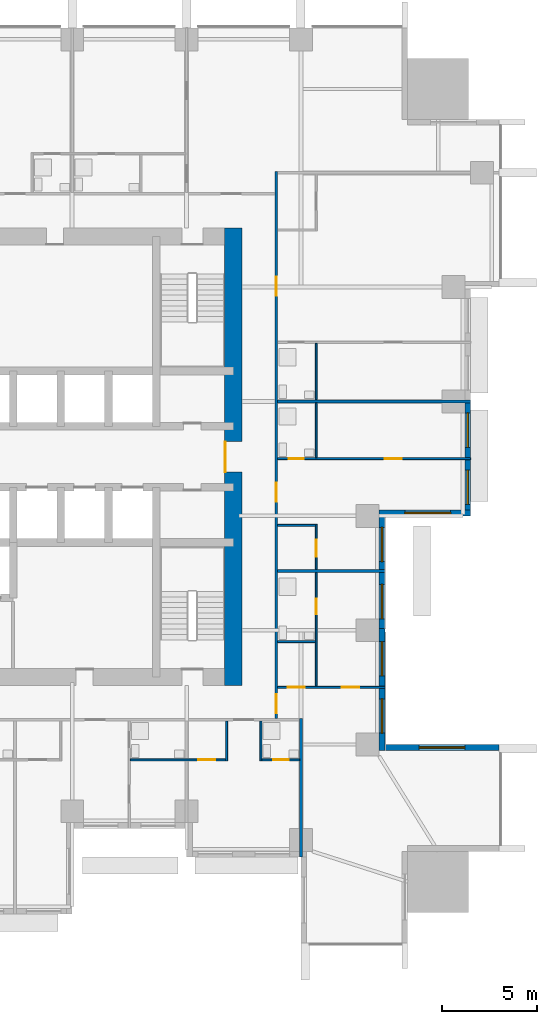
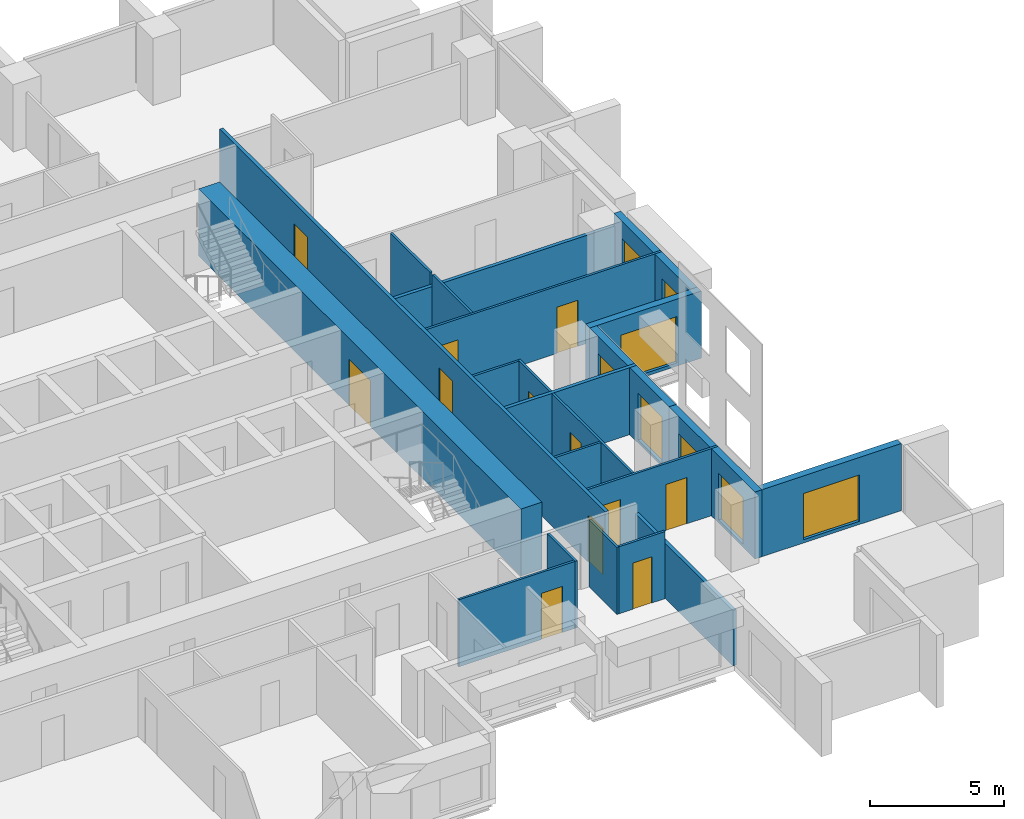
# One storey, part 6 of 10: 21 walls, 12 doors, 8 windows, 20 openings.
"""IFC4 building model written with IfcOpenShell, lengths in metres."""

from ifc_helpers import new_model, si_unit, direction, frame, frame_2d, origin, place, context, subcontext, project, spatial, rectangle, extrude, material, layer, layer_set, type_object, element, fill, save


model = new_model("IFC4")

# Units and contexts
model_context = context("Model", 3, precision=1e-05, world=origin(), true_north=direction((0.0, 1.0)))
body_context = subcontext(model_context, "Body", "Model", "MODEL_VIEW")
ifc_project = project(units=[si_unit("LENGTHUNIT", "METRE"), si_unit("AREAUNIT", "SQUARE_METRE"), si_unit("VOLUMEUNIT", "CUBIC_METRE"), si_unit("PLANEANGLEUNIT", "RADIAN"), si_unit("MASSUNIT", "GRAM", prefix="KILO")], contexts=[model_context])

# Site, building, storey
site_placement = place(None, origin())
site = spatial("IfcSite", under=ifc_project, at=site_placement, CompositionType="ELEMENT")
building_placement = place(site_placement, origin())
building = spatial("IfcBuilding", under=site, at=building_placement, Name="Amberfall Residences", CompositionType="ELEMENT")
storey_placement = place(building_placement, frame((0.0, 0.0, 30.10009765625)))
storey = spatial("IfcBuildingStorey", under=building, at=storey_placement, Name="L07", CompositionType="ELEMENT", Elevation=30.10009765625)

# Wall, opening, window
ifc_material_1 = material(Name="Pale stone cladding on insulated backing", Category="masonry")
ifc_layer_1 = layer(ifc_material_1, 0.300048828125)
ifc_layer_set_1 = layer_set([ifc_layer_1], Name="Bronze clad wall 300")
wall_type_1 = type_object("IfcWallType", Name="Bronze clad wall 300", PredefinedType="SOLIDWALL", material=ifc_layer_set_1)
wall_1_placement = place(storey_placement, frame((100.0, 30.25, 0.0), z_axis=(0.0, 0.0, 1.0), x_axis=(-1.0, 0.0, 0.0)))
wall_1 = element("IfcWall", 1, at=wall_1_placement, inside=storey, type_object=wall_type_1, Name="External wall L07 E", PredefinedType="SOLIDWALL", context=body_context, shape_type="SweptSolid", body=[
    extrude(rectangle(XDim=6.0, YDim=0.300048828125, at=frame_2d((3.0, 0.0))), origin(), (0.0, 0.0, 1.0), 3.0498046875),
])
opening_1_placement = place(wall_1_placement, frame((1.800048828125, 0.0, 0.14990234375)))
opening_1 = element("IfcOpeningElement", 2, at=opening_1_placement, cuts=wall_1, Name="Opening WN5", PredefinedType="OPENING", context=body_context, shape_type="SweptSolid", body=[
    extrude(rectangle(XDim=2.39990234375, YDim=2.10009765625, at=frame_2d((1.199951171875, 1.050048828125))), frame((0.0, 0.159912109375, 0.0), z_axis=(0.0, -1.0, 0.0), x_axis=(1.0, 0.0, 0.0)), (0.0, 0.0, 1.0), 0.320068359375),
])
ifc_material_2 = material(Name="Bronze aluminium framed glazing", Category="aluminium")
window_type_1 = type_object("IfcWindowType", Name="Glazed opening 2400 x 2100 bronze", PartitioningType="DOUBLE_PANEL_VERTICAL", PredefinedType="WINDOW", material=ifc_material_2)
window_1_placement = place(opening_1_placement, origin())
window_1 = element("IfcWindow", 3, at=window_1_placement, inside=storey, type_object=window_type_1, Name="Window L07 E", OverallHeight=2.10009765625, OverallWidth=2.39990234375, PartitioningType="DOUBLE_PANEL_VERTICAL", PredefinedType="WINDOW", context=body_context, shape_type="SweptSolid", body=[
    extrude(rectangle(XDim=2.39990234375, YDim=2.10009765625, at=frame_2d((1.199951171875, 1.050048828125))), frame((0.0, 0.030029296875, 0.0), z_axis=(0.0, -1.0, 0.0), x_axis=(1.0, 0.0, 0.0)), (0.0, 0.0, 1.0), 0.06005859375),
])
fill(opening_1, window_1)

wall_2_placement = place(storey_placement, frame((93.699951171875, 42.550048828125, 0.0), z_axis=(0.0, 0.0, 1.0), x_axis=(1.0, 0.0, 0.0)))
wall_2 = element("IfcWall", 4, at=wall_2_placement, inside=storey, type_object=wall_type_1, Name="External wall L07 E", PredefinedType="SOLIDWALL", context=body_context, shape_type="SweptSolid", body=[
    extrude(rectangle(XDim=4.800048828125, YDim=0.300048828125, at=frame_2d((2.39990234375, 0.0))), origin(), (0.0, 0.0, 1.0), 3.0498046875),
])
opening_2_placement = place(wall_2_placement, frame((1.35009765625, 0.0, 0.14990234375)))
opening_2 = element("IfcOpeningElement", 5, at=opening_2_placement, cuts=wall_2, Name="Opening WN5", PredefinedType="OPENING", context=body_context, shape_type="SweptSolid", body=[
    extrude(rectangle(XDim=2.39990234375, YDim=2.10009765625, at=frame_2d((1.199951171875, 1.050048828125))), frame((0.0, 0.159912109375, 0.0), z_axis=(0.0, -1.0, 0.0), x_axis=(1.0, 0.0, 0.0)), (0.0, 0.0, 1.0), 0.320068359375),
])
window_2_placement = place(opening_2_placement, origin())
window_2 = element("IfcWindow", 6, at=window_2_placement, inside=storey, type_object=window_type_1, Name="Window L07 E", OverallHeight=2.10009765625, OverallWidth=2.39990234375, PartitioningType="DOUBLE_PANEL_VERTICAL", PredefinedType="WINDOW", context=body_context, shape_type="SweptSolid", body=[
    extrude(rectangle(XDim=2.39990234375, YDim=2.10009765625, at=frame_2d((1.199951171875, 1.050048828125))), frame((0.0, 0.030029296875, 0.0), z_axis=(0.0, -1.0, 0.0), x_axis=(1.0, 0.0, 0.0)), (0.0, 0.0, 1.0), 0.06005859375),
])
fill(opening_2, window_2)

# Wall, openings, windows
wall_3_placement = place(storey_placement, frame((93.85009765625, 30.10009765625, 0.0), z_axis=(0.0, 0.0, 1.0), x_axis=(0.0, 1.0, 0.0)))
wall_3 = element("IfcWall", 7, at=wall_3_placement, inside=storey, type_object=wall_type_1, Name="Stone wall L07 E", PredefinedType="SOLIDWALL", context=body_context, shape_type="SweptSolid", body=[
    extrude(rectangle(XDim=6.389892578125, YDim=0.300048828125, at=frame_2d((3.19482421875, 0.0))), origin(), (0.0, 0.0, 1.0), 3.0498046875),
])
opening_3_placement = place(wall_3_placement, frame((0.89990234375, 0.0, 0.14990234375)))
opening_3 = element("IfcOpeningElement", 8, at=opening_3_placement, cuts=wall_3, Name="Opening WN6", PredefinedType="OPENING", context=body_context, shape_type="SweptSolid", body=[
    extrude(rectangle(XDim=1.800048828125, YDim=2.10009765625, at=frame_2d((0.89990234375, 1.050048828125))), frame((0.0, 0.159912109375, 0.0), z_axis=(0.0, -1.0, 0.0), x_axis=(1.0, 0.0, 0.0)), (0.0, 0.0, 1.0), 0.320068359375),
])
opening_4_placement = place(wall_3_placement, frame((3.89990234375, 0.0, 0.14990234375)))
opening_4 = element("IfcOpeningElement", 9, at=opening_4_placement, cuts=wall_3, Name="Opening WN6", PredefinedType="OPENING", context=body_context, shape_type="SweptSolid", body=[
    extrude(rectangle(XDim=1.800048828125, YDim=2.10009765625, at=frame_2d((0.89990234375, 1.050048828125))), frame((0.0, 0.159912109375, 0.0), z_axis=(0.0, -1.0, 0.0), x_axis=(1.0, 0.0, 0.0)), (0.0, 0.0, 1.0), 0.320068359375),
])
window_type_2 = type_object("IfcWindowType", Name="Glazed opening 1800 x 2100 bronze", PartitioningType="DOUBLE_PANEL_VERTICAL", PredefinedType="WINDOW", material=ifc_material_2)
window_3_placement = place(opening_3_placement, origin())
window_3 = element("IfcWindow", 10, at=window_3_placement, inside=storey, type_object=window_type_2, Name="Window L07 E", OverallHeight=2.10009765625, OverallWidth=1.800048828125, PartitioningType="DOUBLE_PANEL_VERTICAL", PredefinedType="WINDOW", context=body_context, shape_type="SweptSolid", body=[
    extrude(rectangle(XDim=1.800048828125, YDim=2.10009765625, at=frame_2d((0.89990234375, 1.050048828125))), frame((0.0, 0.030029296875, 0.0), z_axis=(0.0, -1.0, 0.0), x_axis=(1.0, 0.0, 0.0)), (0.0, 0.0, 1.0), 0.06005859375),
])
fill(opening_3, window_3)
window_4_placement = place(opening_4_placement, origin())
window_4 = element("IfcWindow", 11, at=window_4_placement, inside=storey, type_object=window_type_2, Name="Window L07 E", OverallHeight=2.10009765625, OverallWidth=1.800048828125, PartitioningType="DOUBLE_PANEL_VERTICAL", PredefinedType="WINDOW", context=body_context, shape_type="SweptSolid", body=[
    extrude(rectangle(XDim=1.800048828125, YDim=2.10009765625, at=frame_2d((0.89990234375, 1.050048828125))), frame((0.0, 0.030029296875, 0.0), z_axis=(0.0, -1.0, 0.0), x_axis=(1.0, 0.0, 0.0)), (0.0, 0.0, 1.0), 0.06005859375),
])
fill(opening_4, window_4)

wall_4_placement = place(storey_placement, frame((93.85009765625, 36.489990234375, 0.0), z_axis=(0.0, 0.0, 1.0), x_axis=(0.0, 1.0, 0.0)))
wall_4 = element("IfcWall", 12, at=wall_4_placement, inside=storey, type_object=wall_type_1, Name="Stone wall L07 E", PredefinedType="SOLIDWALL", context=body_context, shape_type="SweptSolid", body=[
    extrude(rectangle(XDim=5.909912109375, YDim=0.300048828125, at=frame_2d((2.955078125, 0.0))), origin(), (0.0, 0.0, 1.0), 3.0498046875),
])
opening_5_placement = place(wall_4_placement, frame((0.510009765625, 0.0, 0.14990234375)))
opening_5 = element("IfcOpeningElement", 13, at=opening_5_placement, cuts=wall_4, Name="Opening WN6", PredefinedType="OPENING", context=body_context, shape_type="SweptSolid", body=[
    extrude(rectangle(XDim=1.800048828125, YDim=2.10009765625, at=frame_2d((0.89990234375, 1.050048828125))), frame((0.0, 0.159912109375, 0.0), z_axis=(0.0, -1.0, 0.0), x_axis=(1.0, 0.0, 0.0)), (0.0, 0.0, 1.0), 0.320068359375),
])
opening_6_placement = place(wall_4_placement, frame((3.510009765625, 0.0, 0.14990234375)))
opening_6 = element("IfcOpeningElement", 14, at=opening_6_placement, cuts=wall_4, Name="Opening WN6", PredefinedType="OPENING", context=body_context, shape_type="SweptSolid", body=[
    extrude(rectangle(XDim=1.800048828125, YDim=2.10009765625, at=frame_2d((0.89990234375, 1.050048828125))), frame((0.0, 0.159912109375, 0.0), z_axis=(0.0, -1.0, 0.0), x_axis=(1.0, 0.0, 0.0)), (0.0, 0.0, 1.0), 0.320068359375),
])
window_5_placement = place(opening_5_placement, origin())
window_5 = element("IfcWindow", 15, at=window_5_placement, inside=storey, type_object=window_type_2, Name="Window L07 E", OverallHeight=2.10009765625, OverallWidth=1.800048828125, PartitioningType="DOUBLE_PANEL_VERTICAL", PredefinedType="WINDOW", context=body_context, shape_type="SweptSolid", body=[
    extrude(rectangle(XDim=1.800048828125, YDim=2.10009765625, at=frame_2d((0.89990234375, 1.050048828125))), frame((0.0, 0.030029296875, 0.0), z_axis=(0.0, -1.0, 0.0), x_axis=(1.0, 0.0, 0.0)), (0.0, 0.0, 1.0), 0.06005859375),
])
fill(opening_5, window_5)
window_6_placement = place(opening_6_placement, origin())
window_6 = element("IfcWindow", 16, at=window_6_placement, inside=storey, type_object=window_type_2, Name="Window L07 E", OverallHeight=2.10009765625, OverallWidth=1.800048828125, PartitioningType="DOUBLE_PANEL_VERTICAL", PredefinedType="WINDOW", context=body_context, shape_type="SweptSolid", body=[
    extrude(rectangle(XDim=1.800048828125, YDim=2.10009765625, at=frame_2d((0.89990234375, 1.050048828125))), frame((0.0, 0.030029296875, 0.0), z_axis=(0.0, -1.0, 0.0), x_axis=(1.0, 0.0, 0.0)), (0.0, 0.0, 1.0), 0.06005859375),
])
fill(opening_6, window_6)

wall_5_placement = place(storey_placement, frame((98.35009765625, 42.699951171875, 0.0), z_axis=(0.0, 0.0, 1.0), x_axis=(0.0, 1.0, 0.0)))
wall_5 = element("IfcWall", 17, at=wall_5_placement, inside=storey, type_object=wall_type_1, Name="Stone wall L07 E", PredefinedType="SOLIDWALL", context=body_context, shape_type="SweptSolid", body=[
    extrude(rectangle(XDim=5.699951171875, YDim=0.300048828125, at=frame_2d((2.85009765625, 0.0))), origin(), (0.0, 0.0, 1.0), 3.0498046875),
])
opening_7_placement = place(wall_5_placement, frame((0.300048828125, 0.0, 0.14990234375)))
opening_7 = element("IfcOpeningElement", 18, at=opening_7_placement, cuts=wall_5, Name="Opening WN6", PredefinedType="OPENING", context=body_context, shape_type="SweptSolid", body=[
    extrude(rectangle(XDim=1.800048828125, YDim=2.10009765625, at=frame_2d((0.89990234375, 1.050048828125))), frame((0.0, 0.159912109375, 0.0), z_axis=(0.0, -1.0, 0.0), x_axis=(1.0, 0.0, 0.0)), (0.0, 0.0, 1.0), 0.320068359375),
])
opening_8_placement = place(wall_5_placement, frame((3.300048828125, 0.0, 0.14990234375)))
opening_8 = element("IfcOpeningElement", 19, at=opening_8_placement, cuts=wall_5, Name="Opening WN6", PredefinedType="OPENING", context=body_context, shape_type="SweptSolid", body=[
    extrude(rectangle(XDim=1.800048828125, YDim=2.10009765625, at=frame_2d((0.89990234375, 1.050048828125))), frame((0.0, 0.159912109375, 0.0), z_axis=(0.0, -1.0, 0.0), x_axis=(1.0, 0.0, 0.0)), (0.0, 0.0, 1.0), 0.320068359375),
])
window_7_placement = place(opening_7_placement, origin())
window_7 = element("IfcWindow", 20, at=window_7_placement, inside=storey, type_object=window_type_2, Name="Window L07 E", OverallHeight=2.10009765625, OverallWidth=1.800048828125, PartitioningType="DOUBLE_PANEL_VERTICAL", PredefinedType="WINDOW", context=body_context, shape_type="SweptSolid", body=[
    extrude(rectangle(XDim=1.800048828125, YDim=2.10009765625, at=frame_2d((0.89990234375, 1.050048828125))), frame((0.0, 0.030029296875, 0.0), z_axis=(0.0, -1.0, 0.0), x_axis=(1.0, 0.0, 0.0)), (0.0, 0.0, 1.0), 0.06005859375),
])
fill(opening_7, window_7)
window_8_placement = place(opening_8_placement, origin())
window_8 = element("IfcWindow", 21, at=window_8_placement, inside=storey, type_object=window_type_2, Name="Window L07 E", OverallHeight=2.10009765625, OverallWidth=1.800048828125, PartitioningType="DOUBLE_PANEL_VERTICAL", PredefinedType="WINDOW", context=body_context, shape_type="SweptSolid", body=[
    extrude(rectangle(XDim=1.800048828125, YDim=2.10009765625, at=frame_2d((0.89990234375, 1.050048828125))), frame((0.0, 0.030029296875, 0.0), z_axis=(0.0, -1.0, 0.0), x_axis=(1.0, 0.0, 0.0)), (0.0, 0.0, 1.0), 0.06005859375),
])
fill(opening_8, window_8)

# Wall, opening, door
ifc_material_3 = material(Name="Concrete C80", Category="concrete")
ifc_layer_2 = layer(ifc_material_3, 0.89990234375)
ifc_layer_set_2 = layer_set([ifc_layer_2], Name="Core wall 900 C80")
wall_type_2 = type_object("IfcWallType", Name="Core wall 900 C80", PredefinedType="SHEAR", material=ifc_layer_set_2)
wall_6_placement = place(storey_placement, frame((86.050048828125, 33.5, 0.0), z_axis=(0.0, 0.0, 1.0), x_axis=(0.0, 1.0, 0.0)))
wall_6 = element("IfcWall", 22, at=wall_6_placement, inside=storey, type_object=wall_type_2, Name="Core wall RW1 L07 OE", PredefinedType="SHEAR", context=body_context, shape_type="SweptSolid", body=[
    extrude(rectangle(XDim=24.0, YDim=0.89990234375, at=frame_2d((12.0, 0.0))), origin(), (0.0, 0.0, 1.0), 3.0498046875),
])
opening_9_placement = place(wall_6_placement, frame((11.199951171875, 0.0, 0.0)))
opening_9 = element("IfcOpeningElement", 23, at=opening_9_placement, cuts=wall_6, Name="Opening LB1", PredefinedType="OPENING", context=body_context, shape_type="SweptSolid", body=[
    extrude(rectangle(XDim=1.60009765625, YDim=2.10009765625, at=frame_2d((0.800048828125, 1.050048828125))), frame((0.0, 0.4599609375, 0.0), z_axis=(0.0, -1.0, 0.0), x_axis=(1.0, 0.0, 0.0)), (0.0, 0.0, 1.0), 0.919921875),
])
ifc_material_4 = material(Name="Steel fire door set", Category="steel")
door_type_1 = type_object("IfcDoorType", Name="Lift lobby double door 1600 x 2100", OperationType="DOUBLE_DOOR_SINGLE_SWING", PredefinedType="DOOR", material=ifc_material_4)
door_1_placement = place(opening_9_placement, origin())
door_1 = element("IfcDoor", 24, at=door_1_placement, inside=storey, type_object=door_type_1, Name="LB1 L07", OperationType="DOUBLE_DOOR_SINGLE_SWING", OverallHeight=2.10009765625, OverallWidth=1.60009765625, PredefinedType="DOOR", context=body_context, shape_type="SweptSolid", body=[
    extrude(rectangle(XDim=1.60009765625, YDim=2.10009765625, at=frame_2d((0.800048828125, 1.050048828125))), frame((0.0, 0.4375, 0.0), z_axis=(0.0, -1.0, 0.0), x_axis=(1.0, 0.0, 0.0)), (0.0, 0.0, 1.0), 0.050048828125),
])
fill(opening_9, door_1)

# Walls
ifc_material_5 = material(Name="Gypsum board on metal stud")
ifc_layer_3 = layer(ifc_material_5, 0.10009765625)
ifc_layer_set_3 = layer_set([ifc_layer_3], Name="Flat partition 100")
wall_type_3 = type_object("IfcWallType", Name="Flat partition 100", PredefinedType="PARTITIONING", material=ifc_layer_set_3)
for number, where, z_axis, x_axis, name in (
    (25, (85.699951171875, 29.550048828125, 0.0), (0.0, 0.0, 1.0), (0.0, 1.0, 0.0), "Partition 017"),
    (26, (87.5, 29.550048828125, 0.0), (0.0, 0.0, 1.0), (0.0, 1.0, 0.0), "Partition 018"),
):
    element("IfcWall", number, at=place(storey_placement, frame(where, z_axis=z_axis, x_axis=x_axis)), inside=storey, type_object=wall_type_3, Name=name, PredefinedType="PARTITIONING", context=body_context, shape_type="SweptSolid", body=[
        extrude(rectangle(XDim=2.074951171875, YDim=0.10009765625, at=frame_2d((1.03759765625, 0.0))), origin(), (0.0, 0.0, 1.0), 3.0498046875),
    ])

# Wall, openings, doors
wall_7_placement = place(storey_placement, frame((90.39990234375, 33.449951171875, 0.0), z_axis=(0.0, 0.0, 1.0), x_axis=(0.0, 1.0, 0.0)))
wall_7 = element("IfcWall", 27, at=wall_7_placement, inside=storey, type_object=wall_type_3, Name="Partition 019", PredefinedType="PARTITIONING", context=body_context, shape_type="SweptSolid", body=[
    extrude(rectangle(XDim=8.5, YDim=0.10009765625, at=frame_2d((4.25, 0.0))), origin(), (0.0, 0.0, 1.0), 3.0498046875),
])
opening_10_placement = place(wall_7_placement, frame((3.800048828125, 0.0, 0.0)))
opening_10 = element("IfcOpeningElement", 28, at=opening_10_placement, cuts=wall_7, Name="Opening D42", PredefinedType="OPENING", context=body_context, shape_type="SweptSolid", body=[
    extrude(rectangle(XDim=0.800048828125, YDim=2.10009765625, at=frame_2d((0.39990234375, 1.050048828125))), frame((0.0, 0.06005859375, 0.0), z_axis=(0.0, -1.0, 0.0), x_axis=(1.0, 0.0, 0.0)), (0.0, 0.0, 1.0), 0.1201171875),
])
opening_11_placement = place(wall_7_placement, frame((6.800048828125, 0.0, 0.0)))
opening_11 = element("IfcOpeningElement", 29, at=opening_11_placement, cuts=wall_7, Name="Opening D41", PredefinedType="OPENING", context=body_context, shape_type="SweptSolid", body=[
    extrude(rectangle(XDim=0.89990234375, YDim=2.10009765625, at=frame_2d((0.449951171875, 1.050048828125))), frame((0.0, 0.06005859375, 0.0), z_axis=(0.0, -1.0, 0.0), x_axis=(1.0, 0.0, 0.0)), (0.0, 0.0, 1.0), 0.1201171875),
])
ifc_material_6 = material(Name="Timber", Category="wood")
door_type_2 = type_object("IfcDoorType", Name="Bathroom door 800 x 2100", OperationType="SINGLE_SWING_LEFT", PredefinedType="DOOR", material=ifc_material_6)
door_2_placement = place(opening_10_placement, origin())
door_2 = element("IfcDoor", 30, at=door_2_placement, inside=storey, type_object=door_type_2, Name="Door 0704 bath1", OperationType="SINGLE_SWING_LEFT", OverallHeight=2.10009765625, OverallWidth=0.800048828125, PredefinedType="DOOR", context=body_context, shape_type="SweptSolid", body=[
    extrude(rectangle(XDim=0.800048828125, YDim=2.10009765625, at=frame_2d((0.39990234375, 1.050048828125))), frame((0.0, 0.02490234375, 0.0), z_axis=(0.0, -1.0, 0.0), x_axis=(1.0, 0.0, 0.0)), (0.0, 0.0, 1.0), 0.050048828125),
])
fill(opening_10, door_2)
door_type_3 = type_object("IfcDoorType", Name="Internal door 900 x 2100", OperationType="SINGLE_SWING_LEFT", PredefinedType="DOOR", material=ifc_material_6)
door_3_placement = place(opening_11_placement, origin())
door_3 = element("IfcDoor", 31, at=door_3_placement, inside=storey, type_object=door_type_3, Name="Door 0705 kitchen", OperationType="SINGLE_SWING_LEFT", OverallHeight=2.10009765625, OverallWidth=0.89990234375, PredefinedType="DOOR", context=body_context, shape_type="SweptSolid", body=[
    extrude(rectangle(XDim=0.89990234375, YDim=2.10009765625, at=frame_2d((0.449951171875, 1.050048828125))), frame((0.0, 0.02490234375, 0.0), z_axis=(0.0, -1.0, 0.0), x_axis=(1.0, 0.0, 0.0)), (0.0, 0.0, 1.0), 0.050048828125),
])
fill(opening_11, door_3)

# Walls
wall_8_placement = place(storey_placement, frame((90.39990234375, 45.449951171875, 0.0), z_axis=(0.0, 0.0, 1.0), x_axis=(0.0, 1.0, 0.0)))
element("IfcWall", 32, at=wall_8_placement, inside=storey, type_object=wall_type_3, Name="Partition 020", PredefinedType="PARTITIONING", context=body_context, shape_type="SweptSolid", body=[
    extrude(rectangle(XDim=2.875, YDim=0.10009765625, at=frame_2d((1.4375, 0.0))), origin(), (0.0, 0.0, 1.0), 3.0498046875),
])
wall_9_placement = place(storey_placement, frame((90.39990234375, 48.5, 0.0), z_axis=(0.0, 0.0, 1.0), x_axis=(0.0, 1.0, 0.0)))
element("IfcWall", 33, at=wall_9_placement, inside=storey, type_object=wall_type_3, Name="Partition 021", PredefinedType="PARTITIONING", context=body_context, shape_type="SweptSolid", body=[
    extrude(rectangle(XDim=2.949951171875, YDim=0.10009765625, at=frame_2d((1.47509765625, 0.0))), origin(), (0.0, 0.0, 1.0), 3.0498046875),
])

# Wall, openings, doors
wall_10_placement = place(storey_placement, frame((88.375, 45.39990234375, 0.0), z_axis=(0.0, 0.0, 1.0), x_axis=(1.0, 0.0, 0.0)))
wall_10 = element("IfcWall", 34, at=wall_10_placement, inside=storey, type_object=wall_type_3, Name="Partition 032", PredefinedType="PARTITIONING", context=body_context, shape_type="SweptSolid", body=[
    extrude(rectangle(XDim=10.125, YDim=0.10009765625, at=frame_2d((5.0625, 0.0))), origin(), (0.0, 0.0, 1.0), 3.0498046875),
])
opening_12_placement = place(wall_10_placement, frame((5.625, 0.0, 0.0)))
opening_12 = element("IfcOpeningElement", 35, at=opening_12_placement, cuts=wall_10, Name="Opening D41", PredefinedType="OPENING", context=body_context, shape_type="SweptSolid", body=[
    extrude(rectangle(XDim=0.89990234375, YDim=2.10009765625, at=frame_2d((0.449951171875, 1.050048828125))), frame((0.0, 0.06005859375, 0.0), z_axis=(0.0, -1.0, 0.0), x_axis=(1.0, 0.0, 0.0)), (0.0, 0.0, 1.0), 0.1201171875),
])
opening_13_placement = place(wall_10_placement, frame((0.574951171875, 0.0, 0.0)))
opening_13 = element("IfcOpeningElement", 36, at=opening_13_placement, cuts=wall_10, Name="Opening D42", PredefinedType="OPENING", context=body_context, shape_type="SweptSolid", body=[
    extrude(rectangle(XDim=0.800048828125, YDim=2.10009765625, at=frame_2d((0.39990234375, 1.050048828125))), frame((0.0, 0.06005859375, 0.0), z_axis=(0.0, -1.0, 0.0), x_axis=(1.0, 0.0, 0.0)), (0.0, 0.0, 1.0), 0.1201171875),
])
door_4_placement = place(opening_13_placement, origin())
door_4 = element("IfcDoor", 37, at=door_4_placement, inside=storey, type_object=door_type_2, Name="Door 0705 bath1", OperationType="SINGLE_SWING_LEFT", OverallHeight=2.10009765625, OverallWidth=0.800048828125, PredefinedType="DOOR", context=body_context, shape_type="SweptSolid", body=[
    extrude(rectangle(XDim=0.800048828125, YDim=2.10009765625, at=frame_2d((0.39990234375, 1.050048828125))), frame((0.0, 0.02490234375, 0.0), z_axis=(0.0, -1.0, 0.0), x_axis=(1.0, 0.0, 0.0)), (0.0, 0.0, 1.0), 0.050048828125),
])
fill(opening_13, door_4)
door_5_placement = place(opening_12_placement, origin())
door_5 = element("IfcDoor", 38, at=door_5_placement, inside=storey, type_object=door_type_3, Name="Door 0705 bedroom1", OperationType="SINGLE_SWING_LEFT", OverallHeight=2.10009765625, OverallWidth=0.89990234375, PredefinedType="DOOR", context=body_context, shape_type="SweptSolid", body=[
    extrude(rectangle(XDim=0.89990234375, YDim=2.10009765625, at=frame_2d((0.449951171875, 1.050048828125))), frame((0.0, 0.02490234375, 0.0), z_axis=(0.0, -1.0, 0.0), x_axis=(1.0, 0.0, 0.0)), (0.0, 0.0, 1.0), 0.050048828125),
])
fill(opening_12, door_5)

# Walls
for number, where, z_axis, x_axis, name in (
    (39, (88.375, 41.89990234375, 0.0), (0.0, 0.0, 1.0), (1.0, 0.0, 0.0), "Partition 034"),
    (40, (88.375, 35.800048828125, 0.0), (0.0, 0.0, 1.0), (1.0, 0.0, 0.0), "Partition 037"),
):
    element("IfcWall", number, at=place(storey_placement, frame(where, z_axis=z_axis, x_axis=x_axis)), inside=storey, type_object=wall_type_3, Name=name, PredefinedType="PARTITIONING", context=body_context, shape_type="SweptSolid", body=[
        extrude(rectangle(XDim=1.97509765625, YDim=0.10009765625, at=frame_2d((0.987548828125, 0.0))), origin(), (0.0, 0.0, 1.0), 3.0498046875),
    ])

# Wall, openings, doors
wall_11_placement = place(storey_placement, frame((88.375, 33.39990234375, 0.0), z_axis=(0.0, 0.0, 1.0), x_axis=(1.0, 0.0, 0.0)))
wall_11 = element("IfcWall", 41, at=wall_11_placement, inside=storey, type_object=wall_type_3, Name="Partition 039", PredefinedType="PARTITIONING", context=body_context, shape_type="SweptSolid", body=[
    extrude(rectangle(XDim=5.625, YDim=0.10009765625, at=frame_2d((2.8125, 0.0))), origin(), (0.0, 0.0, 1.0), 3.0498046875),
])
opening_14_placement = place(wall_11_placement, frame((0.52490234375, 0.0, 0.0)))
opening_14 = element("IfcOpeningElement", 42, at=opening_14_placement, cuts=wall_11, Name="Opening D41", PredefinedType="OPENING", context=body_context, shape_type="SweptSolid", body=[
    extrude(rectangle(XDim=0.89990234375, YDim=2.10009765625, at=frame_2d((0.449951171875, 1.050048828125))), frame((0.0, 0.06005859375, 0.0), z_axis=(0.0, -1.0, 0.0), x_axis=(1.0, 0.0, 0.0)), (0.0, 0.0, 1.0), 0.1201171875),
])
opening_15_placement = place(wall_11_placement, frame((3.375, 0.0, 0.0)))
opening_15 = element("IfcOpeningElement", 43, at=opening_15_placement, cuts=wall_11, Name="Opening D41", PredefinedType="OPENING", context=body_context, shape_type="SweptSolid", body=[
    extrude(rectangle(XDim=0.89990234375, YDim=2.10009765625, at=frame_2d((0.449951171875, 1.050048828125))), frame((0.0, 0.06005859375, 0.0), z_axis=(0.0, -1.0, 0.0), x_axis=(1.0, 0.0, 0.0)), (0.0, 0.0, 1.0), 0.1201171875),
])
door_6_placement = place(opening_14_placement, origin())
door_6 = element("IfcDoor", 44, at=door_6_placement, inside=storey, type_object=door_type_3, Name="Door 0704 kitchen", OperationType="SINGLE_SWING_LEFT", OverallHeight=2.10009765625, OverallWidth=0.89990234375, PredefinedType="DOOR", context=body_context, shape_type="SweptSolid", body=[
    extrude(rectangle(XDim=0.89990234375, YDim=2.10009765625, at=frame_2d((0.449951171875, 1.050048828125))), frame((0.0, 0.02490234375, 0.0), z_axis=(0.0, -1.0, 0.0), x_axis=(1.0, 0.0, 0.0)), (0.0, 0.0, 1.0), 0.050048828125),
])
fill(opening_14, door_6)
door_7_placement = place(opening_15_placement, origin())
door_7 = element("IfcDoor", 45, at=door_7_placement, inside=storey, type_object=door_type_3, Name="Door 0704 bedroom1", OperationType="SINGLE_SWING_LEFT", OverallHeight=2.10009765625, OverallWidth=0.89990234375, PredefinedType="DOOR", context=body_context, shape_type="SweptSolid", body=[
    extrude(rectangle(XDim=0.89990234375, YDim=2.10009765625, at=frame_2d((0.449951171875, 1.050048828125))), frame((0.0, 0.02490234375, 0.0), z_axis=(0.0, -1.0, 0.0), x_axis=(1.0, 0.0, 0.0)), (0.0, 0.0, 1.0), 0.050048828125),
])
fill(opening_15, door_7)

# Wall, opening, door
wall_12_placement = place(storey_placement, frame((80.64990234375, 29.60009765625, 0.0), z_axis=(0.0, 0.0, 1.0), x_axis=(1.0, 0.0, 0.0)))
wall_12 = element("IfcWall", 46, at=wall_12_placement, inside=storey, type_object=wall_type_3, Name="Partition 042", PredefinedType="PARTITIONING", context=body_context, shape_type="SweptSolid", body=[
    extrude(rectangle(XDim=5.0, YDim=0.10009765625, at=frame_2d((2.5, 0.0))), origin(), (0.0, 0.0, 1.0), 3.0498046875),
])
opening_16_placement = place(wall_12_placement, frame((3.550048828125, 0.0, 0.0)))
opening_16 = element("IfcOpeningElement", 47, at=opening_16_placement, cuts=wall_12, Name="Opening D41", PredefinedType="OPENING", context=body_context, shape_type="SweptSolid", body=[
    extrude(rectangle(XDim=0.89990234375, YDim=2.10009765625, at=frame_2d((0.449951171875, 1.050048828125))), frame((0.0, 0.06005859375, 0.0), z_axis=(0.0, -1.0, 0.0), x_axis=(1.0, 0.0, 0.0)), (0.0, 0.0, 1.0), 0.1201171875),
])
door_8_placement = place(opening_16_placement, origin())
door_8 = element("IfcDoor", 48, at=door_8_placement, inside=storey, type_object=door_type_3, Name="Door 0703 kitchen", OperationType="SINGLE_SWING_LEFT", OverallHeight=2.10009765625, OverallWidth=0.89990234375, PredefinedType="DOOR", context=body_context, shape_type="SweptSolid", body=[
    extrude(rectangle(XDim=0.89990234375, YDim=2.10009765625, at=frame_2d((0.449951171875, 1.050048828125))), frame((0.0, 0.02490234375, 0.0), z_axis=(0.0, -1.0, 0.0), x_axis=(1.0, 0.0, 0.0)), (0.0, 0.0, 1.0), 0.050048828125),
])
fill(opening_16, door_8)

wall_13_placement = place(storey_placement, frame((87.550048828125, 29.60009765625, 0.0), z_axis=(0.0, 0.0, 1.0), x_axis=(1.0, 0.0, 0.0)))
wall_13 = element("IfcWall", 49, at=wall_13_placement, inside=storey, type_object=wall_type_3, Name="Partition 043", PredefinedType="PARTITIONING", context=body_context, shape_type="SweptSolid", body=[
    extrude(rectangle(XDim=1.974853515625, YDim=0.10009765625, at=frame_2d((0.9873046875, 0.0))), origin(), (0.0, 0.0, 1.0), 3.0498046875),
])
opening_17_placement = place(wall_13_placement, frame((0.60009765625, 0.0, 0.0)))
opening_17 = element("IfcOpeningElement", 50, at=opening_17_placement, cuts=wall_13, Name="Opening D42", PredefinedType="OPENING", context=body_context, shape_type="SweptSolid", body=[
    extrude(rectangle(XDim=0.800048828125, YDim=2.10009765625, at=frame_2d((0.39990234375, 1.050048828125))), frame((0.0, 0.06005859375, 0.0), z_axis=(0.0, -1.0, 0.0), x_axis=(1.0, 0.0, 0.0)), (0.0, 0.0, 1.0), 0.1201171875),
])
door_9_placement = place(opening_17_placement, origin())
door_9 = element("IfcDoor", 51, at=door_9_placement, inside=storey, type_object=door_type_2, Name="Door 0703 bath1", OperationType="SINGLE_SWING_LEFT", OverallHeight=2.10009765625, OverallWidth=0.800048828125, PredefinedType="DOOR", context=body_context, shape_type="SweptSolid", body=[
    extrude(rectangle(XDim=0.800048828125, YDim=2.10009765625, at=frame_2d((0.39990234375, 1.050048828125))), frame((0.0, 0.02490234375, 0.0), z_axis=(0.0, -1.0, 0.0), x_axis=(1.0, 0.0, 0.0)), (0.0, 0.0, 1.0), 0.050048828125),
])
fill(opening_17, door_9)

# Wall, openings, doors
ifc_material_7 = material(Name="Blockwork, plastered", Category="masonry")
ifc_layer_4 = layer(ifc_material_7, 0.14990234375)
ifc_layer_set_4 = layer_set([ifc_layer_4], Name="Flat separating wall 150")
wall_type_4 = type_object("IfcWallType", Name="Flat separating wall 150", PredefinedType="PARTITIONING", material=ifc_layer_set_4)
wall_14_placement = place(storey_placement, frame((88.300048828125, 60.47509765625, 0.0), z_axis=(0.0, 0.0, 1.0), x_axis=(0.0, -1.0, 0.0)))
wall_14 = element("IfcWall", 52, at=wall_14_placement, inside=storey, type_object=wall_type_4, Name="Separating wall 051", PredefinedType="PARTITIONING", context=body_context, shape_type="SweptSolid", body=[
    extrude(rectangle(XDim=28.7001953125, YDim=0.14990234375, at=frame_2d((14.35009765625, 0.0))), origin(), (0.0, 0.0, 1.0), 3.0498046875),
])
opening_18_placement = place(wall_14_placement, frame((27.425048828125, 0.0, 0.0)))
opening_18 = element("IfcOpeningElement", 53, at=opening_18_placement, cuts=wall_14, Name="Opening D40", PredefinedType="OPENING", context=body_context, shape_type="SweptSolid", body=[
    extrude(rectangle(XDim=1.0, YDim=2.10009765625, at=frame_2d((0.5, 1.050048828125))), frame((0.0, 0.0849609375, 0.0), z_axis=(0.0, -1.0, 0.0), x_axis=(1.0, 0.0, 0.0)), (0.0, 0.0, 1.0), 0.169921875),
])
opening_19_placement = place(wall_14_placement, frame((16.324951171875, 0.0, 0.0)))
opening_19 = element("IfcOpeningElement", 54, at=opening_19_placement, cuts=wall_14, Name="Opening D40", PredefinedType="OPENING", context=body_context, shape_type="SweptSolid", body=[
    extrude(rectangle(XDim=1.0, YDim=2.10009765625, at=frame_2d((0.5, 1.050048828125))), frame((0.0, 0.0849609375, 0.0), z_axis=(0.0, -1.0, 0.0), x_axis=(1.0, 0.0, 0.0)), (0.0, 0.0, 1.0), 0.169921875),
])
opening_20_placement = place(wall_14_placement, frame((5.52490234375, 0.0, 0.0)))
opening_20 = element("IfcOpeningElement", 55, at=opening_20_placement, cuts=wall_14, Name="Opening D40", PredefinedType="OPENING", context=body_context, shape_type="SweptSolid", body=[
    extrude(rectangle(XDim=1.0, YDim=2.10009765625, at=frame_2d((0.5, 1.050048828125))), frame((0.0, 0.0849609375, 0.0), z_axis=(0.0, -1.0, 0.0), x_axis=(1.0, 0.0, 0.0)), (0.0, 0.0, 1.0), 0.169921875),
])
ifc_material_8 = material(Name="Timber, fire-rated", Category="wood")
door_type_4 = type_object("IfcDoorType", Name="Flat entrance door FD60 1000 x 2100", OperationType="SINGLE_SWING_LEFT", PredefinedType="DOOR", material=ifc_material_8)
door_10_placement = place(opening_18_placement, origin())
door_10 = element("IfcDoor", 56, at=door_10_placement, inside=storey, type_object=door_type_4, Name="Door 0704 entrance", OperationType="SINGLE_SWING_LEFT", OverallHeight=2.10009765625, OverallWidth=1.0, PredefinedType="DOOR", context=body_context, shape_type="SweptSolid", body=[
    extrude(rectangle(XDim=1.0, YDim=2.10009765625, at=frame_2d((0.5, 1.050048828125))), frame((0.0, 0.02490234375, 0.0), z_axis=(0.0, -1.0, 0.0), x_axis=(1.0, 0.0, 0.0)), (0.0, 0.0, 1.0), 0.050048828125),
])
fill(opening_18, door_10)
door_11_placement = place(opening_19_placement, origin())
door_11 = element("IfcDoor", 57, at=door_11_placement, inside=storey, type_object=door_type_4, Name="Door 0705 entrance", OperationType="SINGLE_SWING_LEFT", OverallHeight=2.10009765625, OverallWidth=1.0, PredefinedType="DOOR", context=body_context, shape_type="SweptSolid", body=[
    extrude(rectangle(XDim=1.0, YDim=2.10009765625, at=frame_2d((0.5, 1.050048828125))), frame((0.0, 0.02490234375, 0.0), z_axis=(0.0, -1.0, 0.0), x_axis=(1.0, 0.0, 0.0)), (0.0, 0.0, 1.0), 0.050048828125),
])
fill(opening_19, door_11)
door_12_placement = place(opening_20_placement, origin())
door_12 = element("IfcDoor", 58, at=door_12_placement, inside=storey, type_object=door_type_4, Name="Door 0706 entrance", OperationType="SINGLE_SWING_LEFT", OverallHeight=2.10009765625, OverallWidth=1.0, PredefinedType="DOOR", context=body_context, shape_type="SweptSolid", body=[
    extrude(rectangle(XDim=1.0, YDim=2.10009765625, at=frame_2d((0.5, 1.050048828125))), frame((0.0, 0.02490234375, 0.0), z_axis=(0.0, -1.0, 0.0), x_axis=(1.0, 0.0, 0.0)), (0.0, 0.0, 1.0), 0.050048828125),
])
fill(opening_20, door_12)

# Walls
wall_15_placement = place(storey_placement, frame((89.60009765625, 24.5, 0.0), z_axis=(0.0, 0.0, 1.0), x_axis=(0.0, 1.0, 0.0)))
element("IfcWall", 59, at=wall_15_placement, inside=storey, type_object=wall_type_4, Name="Separating wall 052", PredefinedType="PARTITIONING", context=body_context, shape_type="SweptSolid", body=[
    extrude(rectangle(XDim=7.27490234375, YDim=0.14990234375, at=frame_2d((3.637451171875, 0.0))), origin(), (0.0, 0.0, 1.0), 2.515869140625),
])
wall_16_placement = place(storey_placement, frame((88.375, 48.39990234375, 0.0), z_axis=(0.0, 0.0, 1.0), x_axis=(1.0, 0.0, 0.0)))
element("IfcWall", 60, at=wall_16_placement, inside=storey, type_object=wall_type_4, Name="Separating wall 056", PredefinedType="PARTITIONING", context=body_context, shape_type="SweptSolid", body=[
    extrude(rectangle(XDim=10.125, YDim=0.14990234375, at=frame_2d((5.0625, 0.0))), origin(), (0.0, 0.0, 1.0), 2.515869140625),
])
wall_17_placement = place(storey_placement, frame((88.375, 39.5, 0.0), z_axis=(0.0, 0.0, 1.0), x_axis=(1.0, 0.0, 0.0)))
element("IfcWall", 61, at=wall_17_placement, inside=storey, type_object=wall_type_4, Name="Separating wall 058", PredefinedType="PARTITIONING", context=body_context, shape_type="SweptSolid", body=[
    extrude(rectangle(XDim=5.625, YDim=0.14990234375, at=frame_2d((2.8125, 0.0))), origin(), (0.0, 0.0, 1.0), 3.0498046875),
])

save(model, "model.ifc")
